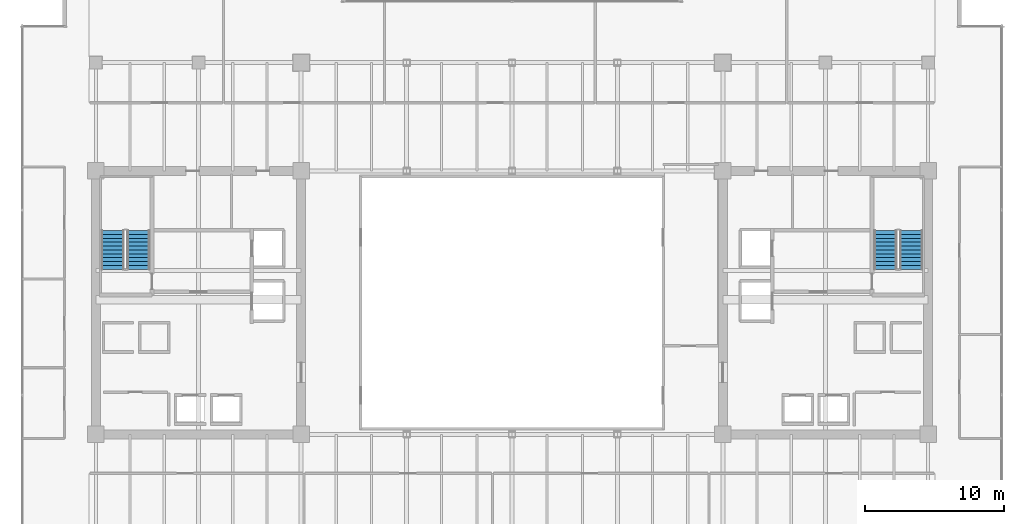
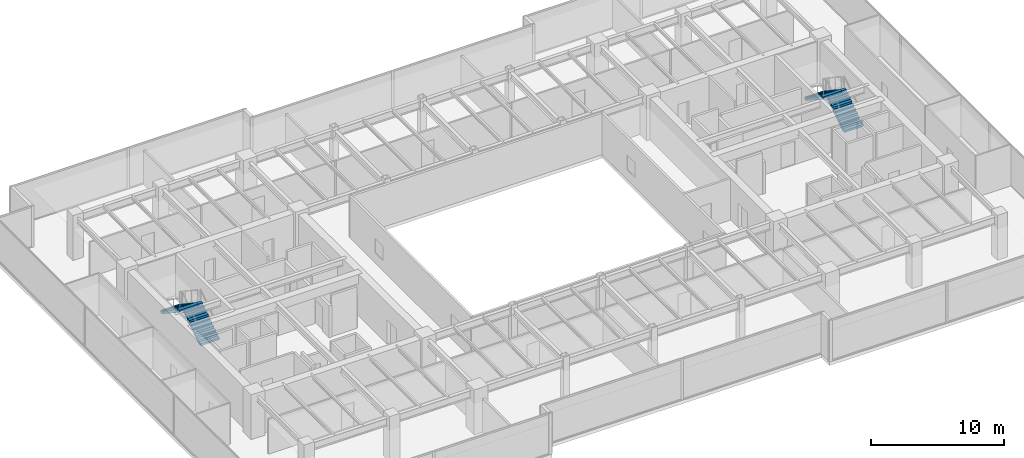
# One storey, part 29 of 34: 4 stair flights, 2 elements without a shape of their own.
"""IFC4 building model written with IfcOpenShell, lengths in metres."""

from ifc_helpers import new_model, si_unit, direction, frame, origin, place, context, subcontext, project, spatial, polyline, outline, extrude, source, transform, mapped, material, type_object, type_shapes, element, aggregate, save


model = new_model("IFC4")

# Units and contexts
model_context = context("Model", 3, precision=1e-05, world=origin(), true_north=direction((0.0, 1.0)))
body_context = subcontext(model_context, "Body", "Model", "MODEL_VIEW")
ifc_project = project(units=[si_unit("LENGTHUNIT", "METRE"), si_unit("AREAUNIT", "SQUARE_METRE"), si_unit("VOLUMEUNIT", "CUBIC_METRE"), si_unit("PLANEANGLEUNIT", "RADIAN"), si_unit("MASSUNIT", "GRAM", prefix="KILO")], contexts=[model_context])

# Site, building, storey
site_placement = place(None, origin())
site = spatial("IfcSite", under=ifc_project, at=site_placement, CompositionType="ELEMENT")
building_placement = place(site_placement, origin())
building = spatial("IfcBuilding", under=site, at=building_placement, Name="Haelvirn Gate Laboratories", CompositionType="ELEMENT")
storey_placement = place(building_placement, frame((0.0, 0.0, 178.89990234375)))
storey = spatial("IfcBuildingStorey", under=building, at=storey_placement, Name="L43", CompositionType="ELEMENT", Elevation=178.89990234375)

# Stair, stair flights
ifc_material = material(Name="Concrete C40/50", Category="concrete")
stair_type = type_object("IfcStairType", Name="ST-DOG-1650-R22", PredefinedType="HALF_TURN_STAIR", material=ifc_material)
stair_1_placement = place(storey_placement, origin())
stair_1 = element("IfcStair", 1, at=stair_1_placement, inside=storey, type_object=stair_type, Name="L43 Escape Stair ST1", PredefinedType="HALF_TURN_STAIR")
stair_flight_type = type_object("IfcStairFlightType", Name="STF-1650-R11", PredefinedType="STRAIGHT", material=ifc_material)
shared_shape = source(origin(), body_context, "Body", "SweptSolid", [
    extrude(outline(polyline([(0.0, 0.0), (0.0, 0.186279296875), (0.280029296875, 0.186279296875), (0.280029296875, 0.372802734375), (0.56005859375, 0.372802734375), (0.56005859375, 0.55908203125), (0.840087890625, 0.55908203125), (0.840087890625, 0.745361328125), (1.1201171875, 0.745361328125), (1.1201171875, 0.931884765625), (1.39990234375, 0.931884765625), (1.39990234375, 1.1181640625), (1.679931640625, 1.1181640625), (1.679931640625, 1.304443359375), (1.9599609375, 1.304443359375), (1.9599609375, 1.490966796875), (2.239990234375, 1.490966796875), (2.239990234375, 1.67724609375), (2.52001953125, 1.67724609375), (2.52001953125, 1.863525390625), (2.800048828125, 1.863525390625), (2.800048828125, 2.050048828125), (2.800048828125, 1.671630859375), (0.28857421875, 0.0), (0.0, 0.0)])), frame((0.0, 0.824951171875, 0.0), z_axis=(0.0, -1.0, 0.0), x_axis=(1.0, 0.0, 0.0)), (0.0, 0.0, 1.0), 1.64990234375),
])
type_shapes(stair_flight_type, [shared_shape])
stair_flight_1_placement = place(storey_placement, frame((10.47509765625, 26.699951171875, 0.0), z_axis=(0.0, 0.0, 1.0), x_axis=(0.0, 1.0, 0.0)))
stair_flight_1 = element("IfcStairFlight", 2, at=stair_flight_1_placement, type_object=stair_flight_type, Name="ST1 flight 1", NumberOfRisers=11, NumberOfTreads=10, PredefinedType="STRAIGHT", RiserHeight=0.186363636, TreadLength=0.28, context=body_context, shape_type="MappedRepresentation", body=[
    mapped(shared_shape, transform((0.0, 0.0, 0.0), scale=1.0)),
])
stair_flight_2_placement = place(storey_placement, frame((8.625, 29.5, 2.050048828125), z_axis=(0.0, 0.0, 1.0), x_axis=(0.0, -1.0, 0.0)))
stair_flight_2 = element("IfcStairFlight", 3, at=stair_flight_2_placement, type_object=stair_flight_type, Name="ST1 flight 2", NumberOfRisers=11, NumberOfTreads=10, PredefinedType="STRAIGHT", RiserHeight=0.186363636, TreadLength=0.28, context=body_context, shape_type="MappedRepresentation", body=[
    mapped(shared_shape, transform((0.0, 0.0, 0.0), scale=1.0)),
])
aggregate(stair_1, [stair_flight_1, stair_flight_2])

stair_2_placement = place(storey_placement, origin())
stair_2 = element("IfcStair", 4, at=stair_2_placement, inside=storey, type_object=stair_type, Name="L43 Escape Stair ST2", PredefinedType="HALF_TURN_STAIR")
stair_flight_3_placement = place(storey_placement, frame((66.175048828125, 26.699951171875, 0.0), z_axis=(0.0, 0.0, 1.0), x_axis=(0.0, 1.0, 0.0)))
stair_flight_3 = element("IfcStairFlight", 5, at=stair_flight_3_placement, type_object=stair_flight_type, Name="ST2 flight 1", NumberOfRisers=11, NumberOfTreads=10, PredefinedType="STRAIGHT", RiserHeight=0.186363636, TreadLength=0.28, context=body_context, shape_type="MappedRepresentation", body=[
    mapped(shared_shape, transform((0.0, 0.0, 0.0), scale=1.0)),
])
stair_flight_4_placement = place(storey_placement, frame((64.324951171875, 29.5, 2.050048828125), z_axis=(0.0, 0.0, 1.0), x_axis=(0.0, -1.0, 0.0)))
stair_flight_4 = element("IfcStairFlight", 6, at=stair_flight_4_placement, type_object=stair_flight_type, Name="ST2 flight 2", NumberOfRisers=11, NumberOfTreads=10, PredefinedType="STRAIGHT", RiserHeight=0.186363636, TreadLength=0.28, context=body_context, shape_type="MappedRepresentation", body=[
    mapped(shared_shape, transform((0.0, 0.0, 0.0), scale=1.0)),
])
aggregate(stair_2, [stair_flight_3, stair_flight_4])

save(model, "model.ifc")
